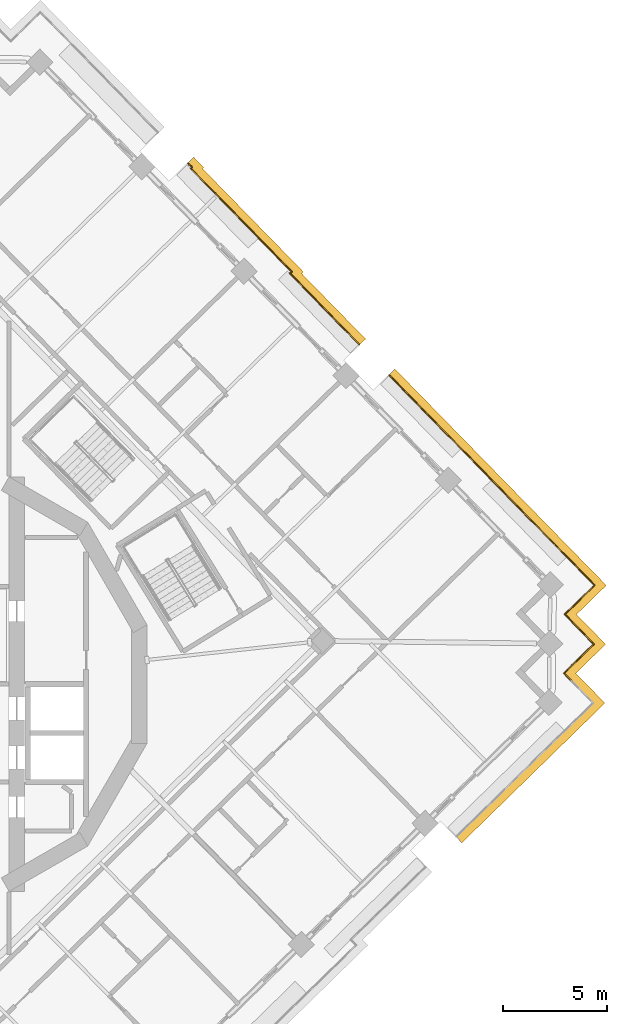
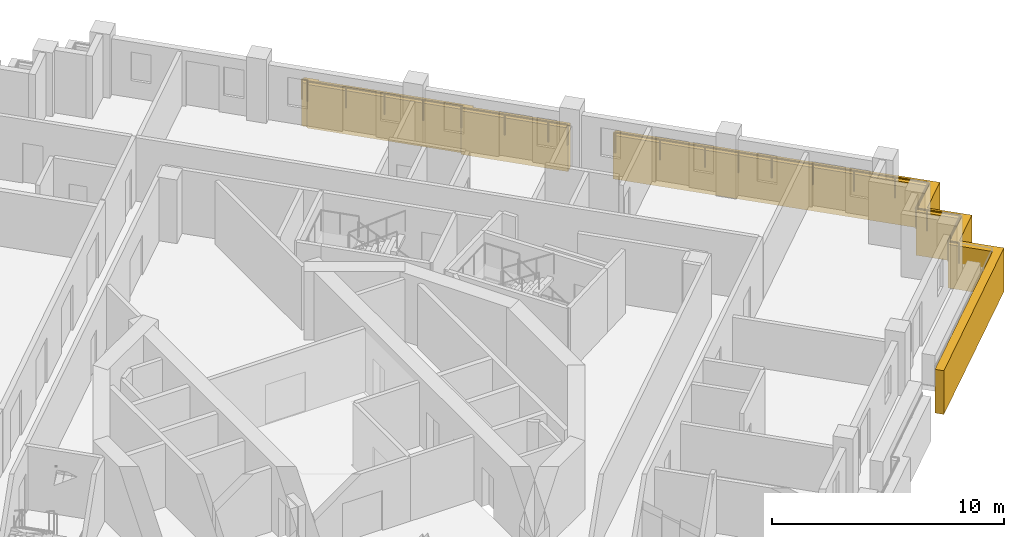
# One storey, part 18 of 19: 2 coverings, 2 railings.
"""IFC4 building model written with IfcOpenShell, lengths in metres."""

from ifc_helpers import new_model, si_unit, direction, frame, origin, origin_2d, place, context, subcontext, project, spatial, polyline, circle, outline, extrude, material, type_object, element, save


model = new_model("IFC4")

# Units and contexts
model_context = context("Model", 3, precision=1e-05, world=origin(), true_north=direction((0.0, 1.0)))
body_context = subcontext(model_context, "Body", "Model", "MODEL_VIEW")
ifc_project = project(units=[si_unit("LENGTHUNIT", "METRE"), si_unit("AREAUNIT", "SQUARE_METRE"), si_unit("VOLUMEUNIT", "CUBIC_METRE"), si_unit("PLANEANGLEUNIT", "RADIAN"), si_unit("MASSUNIT", "GRAM", prefix="KILO")], contexts=[model_context])

# Site, building, storey
site_placement = place(None, origin())
site = spatial("IfcSite", under=ifc_project, at=site_placement, CompositionType="ELEMENT")
building_placement = place(site_placement, origin())
building = spatial("IfcBuilding", under=site, at=building_placement, Name="Cantera Rosa Tower", CompositionType="ELEMENT")
storey_placement = place(building_placement, frame((0.0, 0.0, 216.199951171875)))
storey = spatial("IfcBuildingStorey", under=building, at=storey_placement, Name="L46", CompositionType="ELEMENT", Elevation=216.199951171875)

# Railings
ifc_material_1 = material(Name="Stainless steel and laminated glass", Category="steel")
railing_type = type_object("IfcRailingType", Name="GUARD 1100", PredefinedType="BALUSTRADE", material=ifc_material_1)
railing_1_placement = place(storey_placement, frame((22.26416015625, 14.845703125, 0.0)))
element("IfcRailing", 1, at=railing_1_placement, inside=storey, type_object=railing_type, Name="GUARD L46-11", PredefinedType="BALUSTRADE", context=body_context, shape_type="SweptSolid", body=[
    extrude(circle(Radius=0.030029296875, at=origin_2d()), frame((0.0, 0.0, 1.070068359375), z_axis=(0.700106234421, -0.714038696798, 0.0), x_axis=(0.714038696798, 0.700106234421, 0.0)), (0.0, 0.0, 1.0), 0.070068359375),
    extrude(circle(Radius=0.030029296875, at=origin_2d()), frame((0.049072265625, -0.050048828125, 1.070068359375), z_axis=(0.698829866575, -0.715287926351, 0.0), x_axis=(0.715287926351, 0.698829866575, 0.0)), (0.0, 0.0, 1.0), 4.02001953125),
    extrude(circle(Radius=0.030029296875, at=origin_2d()), frame((2.8583984375, -2.925537109375, 1.070068359375), z_axis=(0.698839281014, -0.715278728407, 0.0), x_axis=(0.715278728407, 0.698839281014, 0.0)), (0.0, 0.0, 1.0), 3.0),
    extrude(circle(Radius=0.030029296875, at=origin_2d()), frame((4.954833984375, -5.0712890625, 1.070068359375), z_axis=(0.698810055914, -0.715307280652, 0.0), x_axis=(0.715307280652, 0.698810055914, 0.0)), (0.0, 0.0, 1.0), 5.52001953125),
    extrude(circle(Radius=0.030029296875, at=origin_2d()), frame((8.812255859375, -9.019775390625, 1.070068359375), z_axis=(0.698921594874, -0.71519829713, 0.0), x_axis=(0.71519829713, 0.698921594874, 0.0)), (0.0, 0.0, 1.0), 1.5),
    extrude(circle(Radius=0.030029296875, at=origin_2d()), frame((9.860595703125, -10.092529296875, 1.070068359375), z_axis=(-0.715277793538, -0.698840237873, 0.0), x_axis=(0.698840237873, -0.715277793538, 0.0)), (0.0, 0.0, 1.0), 1.5),
    extrude(circle(Radius=0.030029296875, at=origin_2d()), frame((8.78759765625, -11.140869140625, 1.070068359375), z_axis=(-0.715359149995, -0.698756958118, 0.0), x_axis=(0.698756958118, -0.715359149995, 0.0)), (0.0, 0.0, 1.0), 0.5),
    extrude(circle(Radius=0.030029296875, at=origin_2d()), frame((8.429931640625, -11.490234375, 1.070068359375), z_axis=(0.699006712162, -0.715115107065, 0.0), x_axis=(0.715115107065, 0.699006712162, 0.0)), (0.0, 0.0, 1.0), 0.500244140625),
    extrude(circle(Radius=0.030029296875, at=origin_2d()), frame((8.779541015625, -11.847900390625, 1.070068359375), z_axis=(0.698756958118, -0.715359149995, 0.0), x_axis=(0.715359149995, 0.698756958118, 0.0)), (0.0, 0.0, 1.0), 1.5),
    extrude(circle(Radius=0.030029296875, at=origin_2d()), frame((9.82763671875, -12.9208984375, 1.070068359375), z_axis=(-0.71519829713, -0.698921594874, 0.0), x_axis=(0.698921594874, -0.71519829713, 0.0)), (0.0, 0.0, 1.0), 1.5),
    extrude(circle(Radius=0.030029296875, at=origin_2d()), frame((8.7548828125, -13.96923828125, 1.070068359375), z_axis=(-0.715359149995, -0.698756958118, 0.0), x_axis=(0.698756958118, -0.715359149995, 0.0)), (0.0, 0.0, 1.0), 0.5),
    extrude(circle(Radius=0.030029296875, at=origin_2d()), frame((8.397216796875, -14.318603515625, 1.070068359375), z_axis=(0.698756958118, -0.715359149995, 0.0), x_axis=(0.715359149995, 0.698756958118, 0.0)), (0.0, 0.0, 1.0), 0.5),
    extrude(circle(Radius=0.02490234375, at=origin_2d()), origin(), (0.0, 0.0, 1.0), 1.0400390625),
    extrude(circle(Radius=0.02490234375, at=origin_2d()), frame((0.049072265625, -0.050048828125, 0.0)), (0.0, 0.0, 1.0), 1.0400390625),
    extrude(circle(Radius=0.02490234375, at=origin_2d()), frame((1.45361328125, -1.48779296875, 0.0)), (0.0, 0.0, 1.0), 1.0400390625),
    extrude(circle(Radius=0.02490234375, at=origin_2d()), frame((2.8583984375, -2.925537109375, 0.0)), (0.0, 0.0, 1.0), 1.0400390625),
    extrude(circle(Radius=0.02490234375, at=origin_2d()), frame((3.90673828125, -3.99853515625, 0.0)), (0.0, 0.0, 1.0), 1.0400390625),
    extrude(circle(Radius=0.02490234375, at=origin_2d()), frame((4.954833984375, -5.0712890625, 0.0)), (0.0, 0.0, 1.0), 1.0400390625),
    extrude(circle(Radius=0.02490234375, at=origin_2d()), frame((6.24072265625, -6.387451171875, 0.0)), (0.0, 0.0, 1.0), 1.0400390625),
    extrude(circle(Radius=0.02490234375, at=origin_2d()), frame((7.5263671875, -7.70361328125, 0.0)), (0.0, 0.0, 1.0), 1.0400390625),
    extrude(circle(Radius=0.02490234375, at=origin_2d()), frame((8.812255859375, -9.019775390625, 0.0)), (0.0, 0.0, 1.0), 1.0400390625),
    extrude(circle(Radius=0.02490234375, at=origin_2d()), frame((9.860595703125, -10.092529296875, 0.0)), (0.0, 0.0, 1.0), 1.0400390625),
    extrude(circle(Radius=0.02490234375, at=origin_2d()), frame((8.78759765625, -11.140869140625, 0.0)), (0.0, 0.0, 1.0), 1.0400390625),
    extrude(circle(Radius=0.02490234375, at=origin_2d()), frame((8.429931640625, -11.490234375, 0.0)), (0.0, 0.0, 1.0), 1.0400390625),
    extrude(circle(Radius=0.02490234375, at=origin_2d()), frame((8.779541015625, -11.847900390625, 0.0)), (0.0, 0.0, 1.0), 1.0400390625),
    extrude(circle(Radius=0.02490234375, at=origin_2d()), frame((9.82763671875, -12.9208984375, 0.0)), (0.0, 0.0, 1.0), 1.0400390625),
    extrude(circle(Radius=0.02490234375, at=origin_2d()), frame((8.7548828125, -13.96923828125, 0.0)), (0.0, 0.0, 1.0), 1.0400390625),
    extrude(circle(Radius=0.02490234375, at=origin_2d()), frame((8.397216796875, -14.318603515625, 0.0)), (0.0, 0.0, 1.0), 1.0400390625),
    extrude(circle(Radius=0.02490234375, at=origin_2d()), frame((8.74658203125, -14.67626953125, 0.0)), (0.0, 0.0, 1.0), 1.0400390625),
])
railing_2_placement = place(storey_placement, frame((12.595703125, 25.028076171875, 0.0)))
element("IfcRailing", 2, at=railing_2_placement, inside=storey, type_object=railing_type, Name="GUARD L46-12", PredefinedType="BALUSTRADE", context=body_context, shape_type="SweptSolid", body=[
    extrude(circle(Radius=0.030029296875, at=origin_2d()), frame((0.0, 0.0, 1.070068359375), z_axis=(0.698922436913, -0.715197474254, 0.0), x_axis=(0.715197474254, 0.698922436913, 0.0)), (0.0, 0.0, 1.0), 0.27001953125),
    extrude(circle(Radius=0.030029296875, at=origin_2d()), frame((0.188720703125, -0.193115234375, 1.070068359375), z_axis=(-0.715817567127, -0.698287340994, 0.0), x_axis=(0.698287340994, -0.715817567127, 0.0)), (0.0, 0.0, 1.0), 0.08349609375),
    extrude(circle(Radius=0.030029296875, at=origin_2d()), frame((0.12890625, -0.25146484375, 1.070068359375), z_axis=(0.698822463092, -0.715295159412, 0.0), x_axis=(0.715295159412, 0.698822463092, 0.0)), (0.0, 0.0, 1.0), 6.936279296875),
    extrude(circle(Radius=0.030029296875, at=origin_2d()), frame((4.97607421875, -5.212890625, 1.070068359375), z_axis=(-0.715449344279, -0.698664608929, 0.0), x_axis=(0.698664608929, -0.715449344279, 0.0)), (0.0, 0.0, 1.0), 0.116455078125),
    extrude(circle(Radius=0.030029296875, at=origin_2d()), frame((4.892822265625, -5.294189453125, 1.070068359375), z_axis=(0.698866787925, -0.715251852662, 0.0), x_axis=(0.715251852662, 0.698866787925, 0.0)), (0.0, 0.0, 1.0), 3.90380859375),
    extrude(circle(Radius=0.030029296875, at=origin_2d()), frame((7.62109375, -8.08642578125, 1.070068359375), z_axis=(0.698779602308, -0.715337030636, 0.0), x_axis=(0.715337030636, 0.698779602308, 0.0)), (0.0, 0.0, 1.0), 0.869873046875),
    extrude(circle(Radius=0.02490234375, at=origin_2d()), origin(), (0.0, 0.0, 1.0), 1.0400390625),
    extrude(circle(Radius=0.02490234375, at=origin_2d()), frame((0.188720703125, -0.193115234375, 0.0)), (0.0, 0.0, 1.0), 1.0400390625),
    extrude(circle(Radius=0.02490234375, at=origin_2d()), frame((0.12890625, -0.25146484375, 0.0)), (0.0, 0.0, 1.0), 1.0400390625),
    extrude(circle(Radius=0.02490234375, at=origin_2d()), frame((1.3408203125, -1.49169921875, 0.0)), (0.0, 0.0, 1.0), 1.0400390625),
    extrude(circle(Radius=0.02490234375, at=origin_2d()), frame((2.552490234375, -2.732177734375, 0.0)), (0.0, 0.0, 1.0), 1.0400390625),
    extrude(circle(Radius=0.02490234375, at=origin_2d()), frame((3.76416015625, -3.97265625, 0.0)), (0.0, 0.0, 1.0), 1.0400390625),
    extrude(circle(Radius=0.02490234375, at=origin_2d()), frame((4.97607421875, -5.212890625, 0.0)), (0.0, 0.0, 1.0), 1.0400390625),
    extrude(circle(Radius=0.02490234375, at=origin_2d()), frame((4.892822265625, -5.294189453125, 0.0)), (0.0, 0.0, 1.0), 1.0400390625),
    extrude(circle(Radius=0.02490234375, at=origin_2d()), frame((6.2568359375, -6.6904296875, 0.0)), (0.0, 0.0, 1.0), 1.0400390625),
    extrude(circle(Radius=0.02490234375, at=origin_2d()), frame((7.62109375, -8.08642578125, 0.0)), (0.0, 0.0, 1.0), 1.0400390625),
    extrude(circle(Radius=0.02490234375, at=origin_2d()), frame((8.22900390625, -8.708740234375, 0.0)), (0.0, 0.0, 1.0), 1.0400390625),
])

# Coverings
ifc_material_2 = material(Name="Cantera stone", Category="masonry")
covering_type = type_object("IfcCoveringType", Name="TRAY FASCIA 400", PredefinedType="CLADDING", material=ifc_material_2)
covering_1_placement = place(storey_placement, frame((0.0, 0.0, -1.39990234375)))
element("IfcCovering", 3, at=covering_1_placement, inside=storey, type_object=covering_type, Name="TRAY FASCIA L46-05", PredefinedType="CLADDING", context=body_context, shape_type="SweptSolid", body=[
    extrude(outline(polyline([(13.35009765625, 24.828369140625), (13.2900390625, 24.77001953125), (18.137451171875, 19.80859375), (18.05419921875, 19.727294921875), (20.502685546875, 17.22119140625), (21.124755859375, 16.58447265625), (20.838623046875, 16.304931640625), (20.216796875, 16.941650390625), (17.488525390625, 19.73388671875), (17.57177734375, 19.815185546875), (12.724609375, 24.776611328125), (12.784423828125, 24.8349609375), (12.581787109375, 25.04248046875), (12.867919921875, 25.322021484375), (13.35009765625, 24.828369140625)])), origin(), (0.0, 0.0, 1.0), 2.300048828125),
])
covering_2_placement = place(storey_placement, frame((0.0, 0.0, -1.39990234375)))
element("IfcCovering", 4, at=covering_2_placement, inside=storey, type_object=covering_type, Name="TRAY FASCIA L46-06", PredefinedType="CLADDING", context=body_context, shape_type="SweptSolid", body=[
    extrude(outline(polyline([(22.599365234375, 15.0751953125), (25.40869140625, 12.19970703125), (27.505126953125, 10.053955078125), (31.362548828125, 6.10546875), (32.6904296875, 4.74658203125), (31.331298828125, 3.418701171875), (31.259765625, 3.348876953125), (31.329833984375, 3.27734375), (32.657470703125, 1.918212890625), (31.298583984375, 0.590576171875), (31.22705078125, 0.5205078125), (32.62451171875, -0.909912109375), (31.265625, -2.23779296875), (26.38720703125, -7.00390625), (25.750732421875, -7.625732421875), (25.47119140625, -7.339599609375), (26.107666015625, -6.7177734375), (30.986083984375, -1.95166015625), (32.058837890625, -0.9033203125), (31.0107421875, 0.16943359375), (30.661376953125, 0.527099609375), (31.01904296875, 0.87646484375), (32.091796875, 1.9248046875), (31.043701171875, 2.997802734375), (30.694091796875, 3.35546875), (31.0517578125, 3.704833984375), (32.124755859375, 4.753173828125), (31.076416015625, 5.825927734375), (27.218994140625, 9.7744140625), (25.12255859375, 11.920166015625), (22.313232421875, 14.795654296875), (22.250244140625, 14.860107421875), (22.536376953125, 15.1396484375), (22.599365234375, 15.0751953125)])), origin(), (0.0, 0.0, 1.0), 2.300048828125),
])

save(model, "model.ifc")
